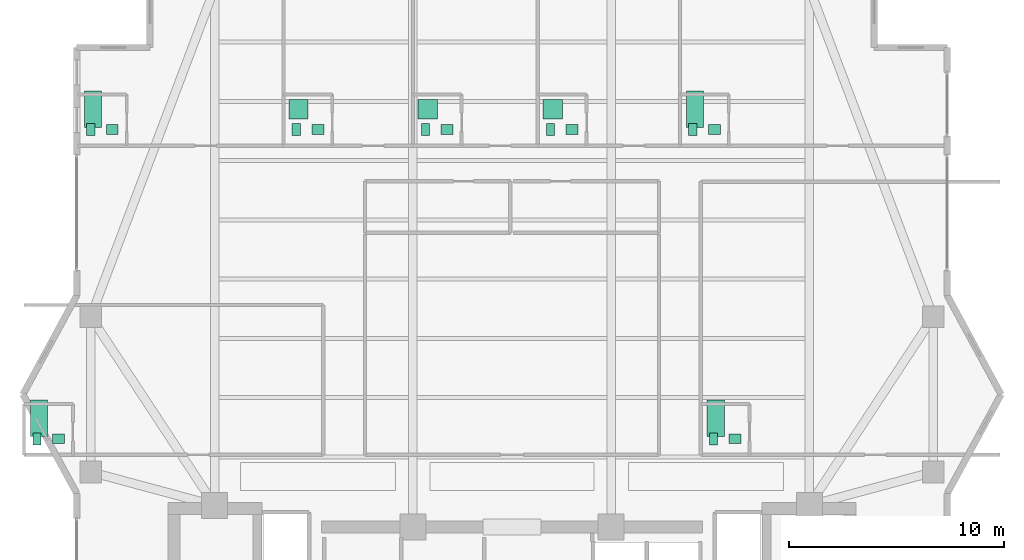
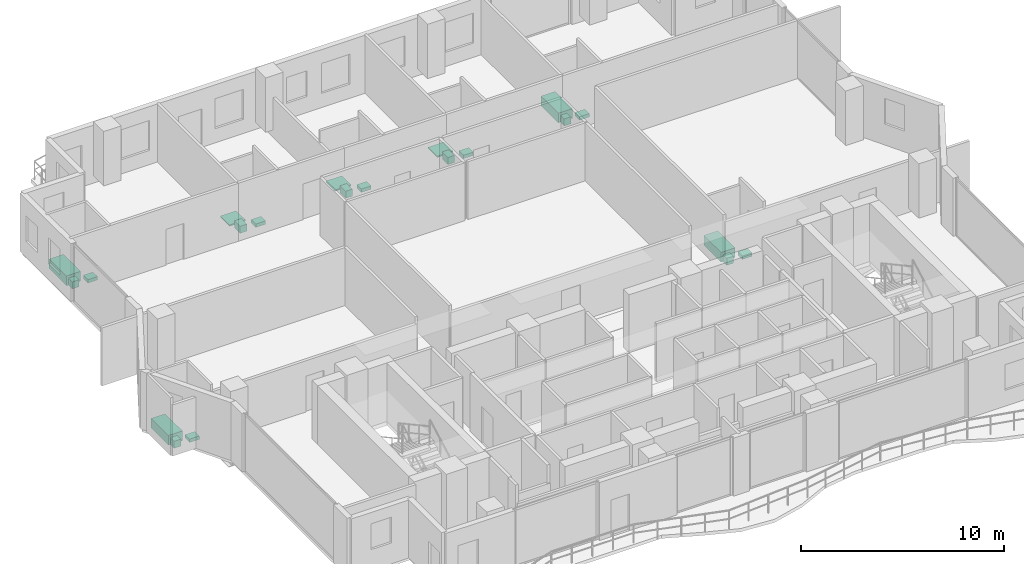
# One storey, part 28 of 28: 21 sanitary terminals.
"""IFC4 building model written with IfcOpenShell, lengths in metres."""

from ifc_helpers import new_model, si_unit, direction, frame, origin, origin_2d, place, context, subcontext, project, spatial, rectangle, extrude, material, type_object, element, save


model = new_model("IFC4")

# Units and contexts
model_context = context("Model", 3, precision=1e-05, world=origin(), true_north=direction((0.0, 1.0)))
body_context = subcontext(model_context, "Body", "Model", "MODEL_VIEW")
ifc_project = project(units=[si_unit("LENGTHUNIT", "METRE"), si_unit("AREAUNIT", "SQUARE_METRE"), si_unit("VOLUMEUNIT", "CUBIC_METRE"), si_unit("PLANEANGLEUNIT", "RADIAN"), si_unit("MASSUNIT", "GRAM", prefix="KILO")], contexts=[model_context])

# Site, building, storey
site_placement = place(None, origin())
site = spatial("IfcSite", under=ifc_project, at=site_placement, CompositionType="ELEMENT")
building_placement = place(site_placement, origin())
building = spatial("IfcBuilding", under=site, at=building_placement, Name="Zuhayl Quay Hotel", CompositionType="ELEMENT")
storey_placement = place(building_placement, frame((0.0, 0.0, 239.64990234375)))
storey = spatial("IfcBuildingStorey", under=building, at=storey_placement, Name="L60", CompositionType="ELEMENT", Elevation=239.64990234375)

# Sanitary terminals
ifc_material = material(Name="Vitreous Porcelain Sanitaryware")
sanitary_terminal_type_1 = type_object("IfcSanitaryTerminalType", Name="SAN_BASIN", PredefinedType="WASHHANDBASIN", material=ifc_material)
for number, where, z_axis, x_axis, name in (
    (1, (-18.550048828125, 31.7900390625, 0.0), (0.0, 0.0, 1.0), (1.0, 0.0, 0.0), "L60 Sanitary Fixture WASHHANDBASIN"),
    (2, (-9.010009765625, 31.7900390625, 0.0), (0.0, 0.0, 1.0), (1.0, 0.0, 0.0), "L60 Sanitary Fixture WASHHANDBASIN"),
    (3, (-3.010009765625, 31.7900390625, 0.0), (0.0, 0.0, 1.0), (1.0, 0.0, 0.0), "L60 Sanitary Fixture WASHHANDBASIN"),
    (4, (2.7900390625, 31.7900390625, 0.0), (0.0, 0.0, 1.0), (1.0, 0.0, 0.0), "L60 Sanitary Fixture WASHHANDBASIN"),
    (5, (9.389892578125, 31.7900390625, 0.0), (0.0, 0.0, 1.0), (1.0, 0.0, 0.0), "L60 Sanitary Fixture WASHHANDBASIN"),
    (6, (-21.050048828125, 17.43994140625, 0.0), (0.0, 0.0, 1.0), (1.0, 0.0, 0.0), "L60 Sanitary Fixture WASHHANDBASIN"),
    (7, (10.35009765625, 17.43994140625, 0.0), (0.0, 0.0, 1.0), (1.0, 0.0, 0.0), "L60 Sanitary Fixture WASHHANDBASIN"),
):
    element("IfcSanitaryTerminal", number, at=place(storey_placement, frame(where, z_axis=z_axis, x_axis=x_axis)), inside=storey, type_object=sanitary_terminal_type_1, Name=name, PredefinedType="WASHHANDBASIN", context=body_context, shape_type="SweptSolid", body=[
        extrude(rectangle(XDim=0.550048828125, YDim=0.449951171875, at=origin_2d()), origin(), (0.0, 0.0, 1.0), 0.199951171875),
    ])
sanitary_terminal_type_2 = type_object("IfcSanitaryTerminalType", Name="SAN_BATH", PredefinedType="BATH", material=ifc_material)
for number, where, z_axis, x_axis, name in (
    (8, (-19.449951171875, 32.739990234375, 0.0), (0.0, 0.0, 1.0), (1.0, 0.0, 0.0), "L60 Sanitary Fixture BATH"),
    (9, (8.489990234375, 32.739990234375, 0.0), (0.0, 0.0, 1.0), (1.0, 0.0, 0.0), "L60 Sanitary Fixture BATH"),
    (10, (-21.949951171875, 18.389892578125, 0.0), (0.0, 0.0, 1.0), (1.0, 0.0, 0.0), "L60 Sanitary Fixture BATH"),
    (11, (9.449951171875, 18.389892578125, 0.0), (0.0, 0.0, 1.0), (1.0, 0.0, 0.0), "L60 Sanitary Fixture BATH"),
):
    element("IfcSanitaryTerminal", number, at=place(storey_placement, frame(where, z_axis=z_axis, x_axis=x_axis)), inside=storey, type_object=sanitary_terminal_type_2, Name=name, PredefinedType="BATH", context=body_context, shape_type="SweptSolid", body=[
        extrude(rectangle(XDim=0.800048828125, YDim=1.699951171875, at=origin_2d()), origin(), (0.0, 0.0, 1.0), 0.580078125),
    ])
sanitary_terminal_type_3 = type_object("IfcSanitaryTerminalType", Name="SAN_SHOWER", PredefinedType="SHOWER", material=ifc_material)
for number, where, z_axis, x_axis, name in (
    (12, (-9.909912109375, 32.739990234375, 0.0), (0.0, 0.0, 1.0), (1.0, 0.0, 0.0), "L60 Sanitary Fixture SHOWER"),
    (13, (-3.909912109375, 32.739990234375, 0.0), (0.0, 0.0, 1.0), (1.0, 0.0, 0.0), "L60 Sanitary Fixture SHOWER"),
    (14, (1.889892578125, 32.739990234375, 0.0), (0.0, 0.0, 1.0), (1.0, 0.0, 0.0), "L60 Sanitary Fixture SHOWER"),
):
    element("IfcSanitaryTerminal", number, at=place(storey_placement, frame(where, z_axis=z_axis, x_axis=x_axis)), inside=storey, type_object=sanitary_terminal_type_3, Name=name, PredefinedType="SHOWER", context=body_context, shape_type="SweptSolid", body=[
        extrude(rectangle(XDim=0.89990234375, YDim=0.89990234375, at=origin_2d()), origin(), (0.0, 0.0, 1.0), 0.080078125),
    ])
sanitary_terminal_type_4 = type_object("IfcSanitaryTerminalType", Name="SAN_WC", PredefinedType="TOILETPAN", material=ifc_material)
for number, where, z_axis, x_axis, name in (
    (15, (-19.550048828125, 31.7900390625, 0.000244140625), (0.0, 0.0, 1.0), (1.0, 0.0, 0.0), "L60 Sanitary Fixture TOILETPAN"),
    (16, (-10.010009765625, 31.7900390625, 0.000244140625), (0.0, 0.0, 1.0), (1.0, 0.0, 0.0), "L60 Sanitary Fixture TOILETPAN"),
    (17, (-4.010009765625, 31.7900390625, 0.000244140625), (0.0, 0.0, 1.0), (1.0, 0.0, 0.0), "L60 Sanitary Fixture TOILETPAN"),
    (18, (1.7900390625, 31.7900390625, 0.000244140625), (0.0, 0.0, 1.0), (1.0, 0.0, 0.0), "L60 Sanitary Fixture TOILETPAN"),
    (19, (8.389892578125, 31.7900390625, 0.000244140625), (0.0, 0.0, 1.0), (1.0, 0.0, 0.0), "L60 Sanitary Fixture TOILETPAN"),
    (20, (-22.050048828125, 17.43994140625, 0.000244140625), (0.0, 0.0, 1.0), (1.0, 0.0, 0.0), "L60 Sanitary Fixture TOILETPAN"),
    (21, (9.35009765625, 17.43994140625, 0.000244140625), (0.0, 0.0, 1.0), (1.0, 0.0, 0.0), "L60 Sanitary Fixture TOILETPAN"),
):
    element("IfcSanitaryTerminal", number, at=place(storey_placement, frame(where, z_axis=z_axis, x_axis=x_axis)), inside=storey, type_object=sanitary_terminal_type_4, Name=name, PredefinedType="TOILETPAN", context=body_context, shape_type="SweptSolid", body=[
        extrude(rectangle(XDim=0.3798828125, YDim=0.56005859375, at=origin_2d()), origin(), (0.0, 0.0, 1.0), 0.419921875),
    ])

save(model, "model.ifc")
